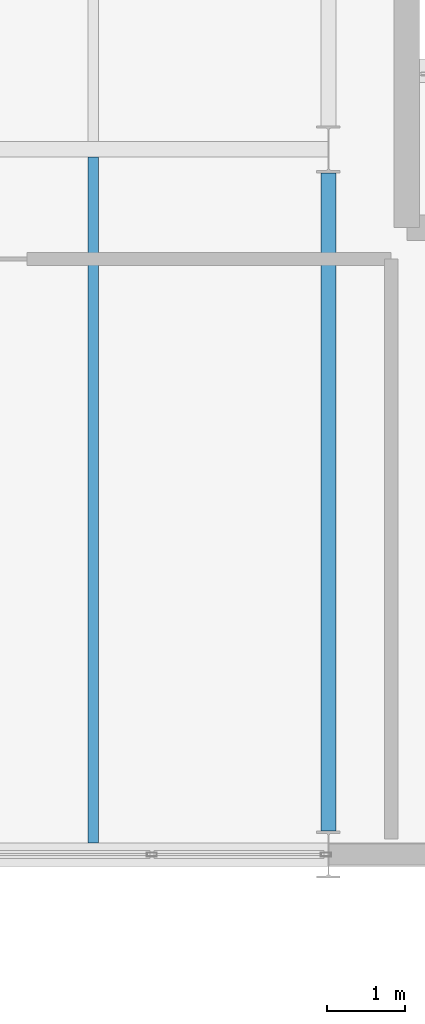
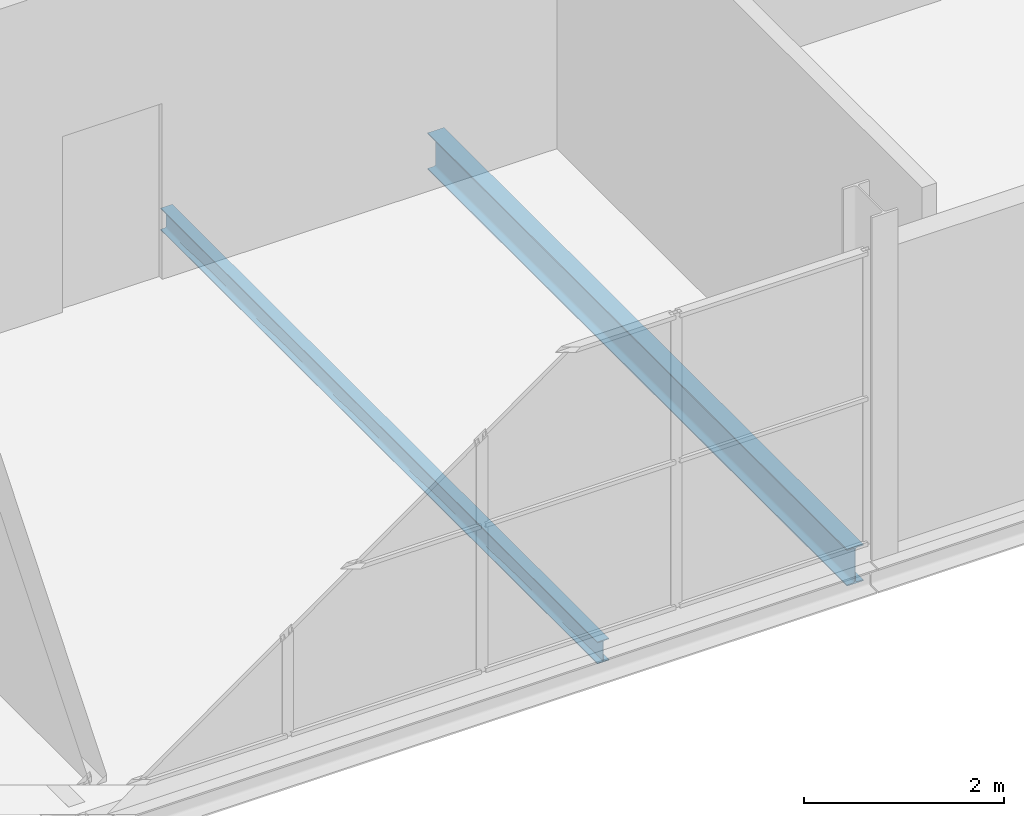
# One storey, part 18 of 44: 2 beams.
"""IFC4 building model written with IfcOpenShell, lengths in metres."""

from ifc_helpers import new_model, si_unit, direction, frame, origin, origin_2d, place, context, subcontext, project, spatial, i_section, extrude, material, material_profile, profile_set, type_object, element, save


model = new_model("IFC4")

# Units and contexts
model_context = context("Model", 3, precision=1e-05, world=origin(), true_north=direction((0.0, 1.0)))
body_context = subcontext(model_context, "Body", "Model", "MODEL_VIEW")
ifc_project = project(units=[si_unit("LENGTHUNIT", "METRE"), si_unit("AREAUNIT", "SQUARE_METRE"), si_unit("VOLUMEUNIT", "CUBIC_METRE"), si_unit("PLANEANGLEUNIT", "RADIAN"), si_unit("MASSUNIT", "GRAM", prefix="KILO")], contexts=[model_context])

# Site, building, storey
site_placement = place(None, origin())
site = spatial("IfcSite", under=ifc_project, at=site_placement, CompositionType="ELEMENT")
building_placement = place(site_placement, origin())
building = spatial("IfcBuilding", under=site, at=building_placement, Name="Deido Ridge Mobility Hub", CompositionType="ELEMENT")
storey_placement = place(building_placement, frame((0.0, 0.0, 25.199951171875)))
storey = spatial("IfcBuildingStorey", under=building, at=storey_placement, Name="L06", CompositionType="ELEMENT", Elevation=25.199951171875)

# Beams
ifc_material = material(Name="Steel S355J2 EN 10025-2", Category="steel")
ifc_material_profile_1 = material_profile(ifc_material, i_section(OverallWidth=0.18994140625, OverallDepth=0.449951171875, WebThickness=0.009521484375, FlangeThickness=0.0146484375, FilletRadius=0.02099609375, at=origin_2d()), Name="IPE 450")
ifc_profile_set_1 = profile_set([ifc_material_profile_1], Name="Steel S355J2 EN 10025-2")
beam_type_1 = type_object("IfcBeamType", Name="BM-IPE450", PredefinedType="BEAM", material=ifc_profile_set_1)
beam_1_placement = place(storey_placement, frame((162.0, 0.300048828125, -0.46484375), z_axis=(0.0, 1.0, 0.0), x_axis=(-1.0, 0.0, 0.0)))
element("IfcBeam", 1, at=beam_1_placement, inside=storey, type_object=beam_type_1, Name="Floor beam B4", PredefinedType="BEAM", context=body_context, shape_type="SweptSolid", body=[
    extrude(i_section(OverallWidth=0.18994140625, OverallDepth=0.449951171875, WebThickness=0.009521484375, FlangeThickness=0.0146484375, FilletRadius=0.02099609375, at=origin_2d()), origin(), (0.0, 0.0, 1.0), 8.39990234375),
])
ifc_material_profile_2 = material_profile(ifc_material, i_section(OverallWidth=0.135009765625, OverallDepth=0.27001953125, WebThickness=0.006591796875, FlangeThickness=0.01025390625, FilletRadius=0.014892578125, at=origin_2d()), Name="IPE 270")
ifc_profile_set_2 = profile_set([ifc_material_profile_2], Name="Steel S355J2 EN 10025-2")
beam_type_2 = type_object("IfcBeamType", Name="JST-IPE270", PredefinedType="JOIST", material=ifc_profile_set_2)
beam_2_placement = place(storey_placement, frame((159.0, 0.14990234375, -0.375), z_axis=(0.0, 1.0, 0.0), x_axis=(-1.0, 0.0, 0.0)))
element("IfcBeam", 2, at=beam_2_placement, inside=storey, type_object=beam_type_2, Name="Composite joist J4", PredefinedType="JOIST", context=body_context, shape_type="SweptSolid", body=[
    extrude(i_section(OverallWidth=0.135009765625, OverallDepth=0.27001953125, WebThickness=0.006591796875, FlangeThickness=0.01025390625, FilletRadius=0.014892578125, at=origin_2d()), origin(), (0.0, 0.0, 1.0), 8.75),
])

save(model, "model.ifc")
